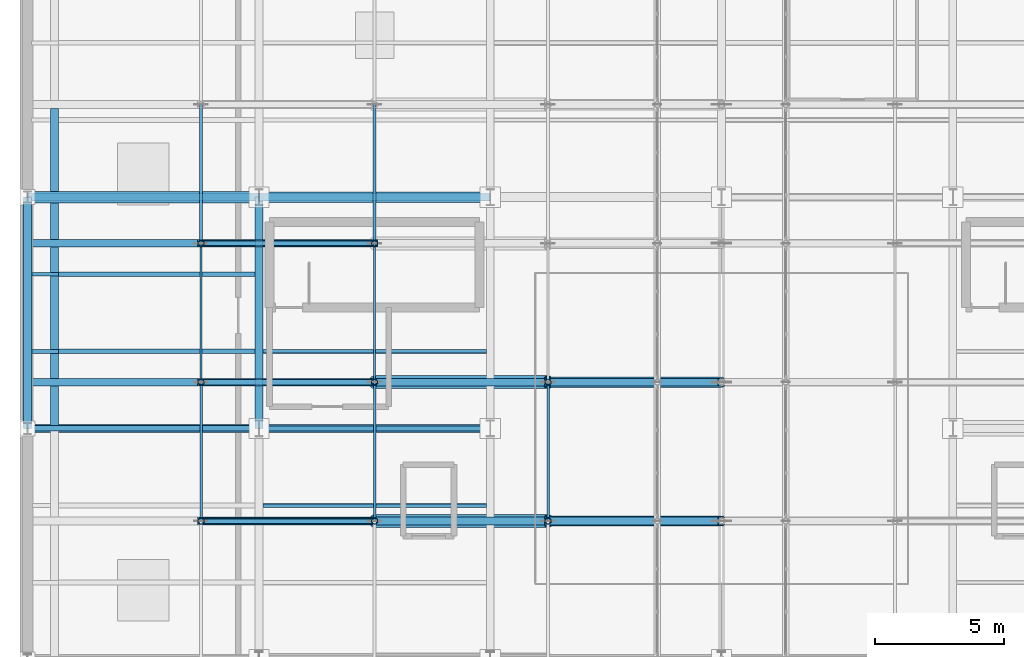
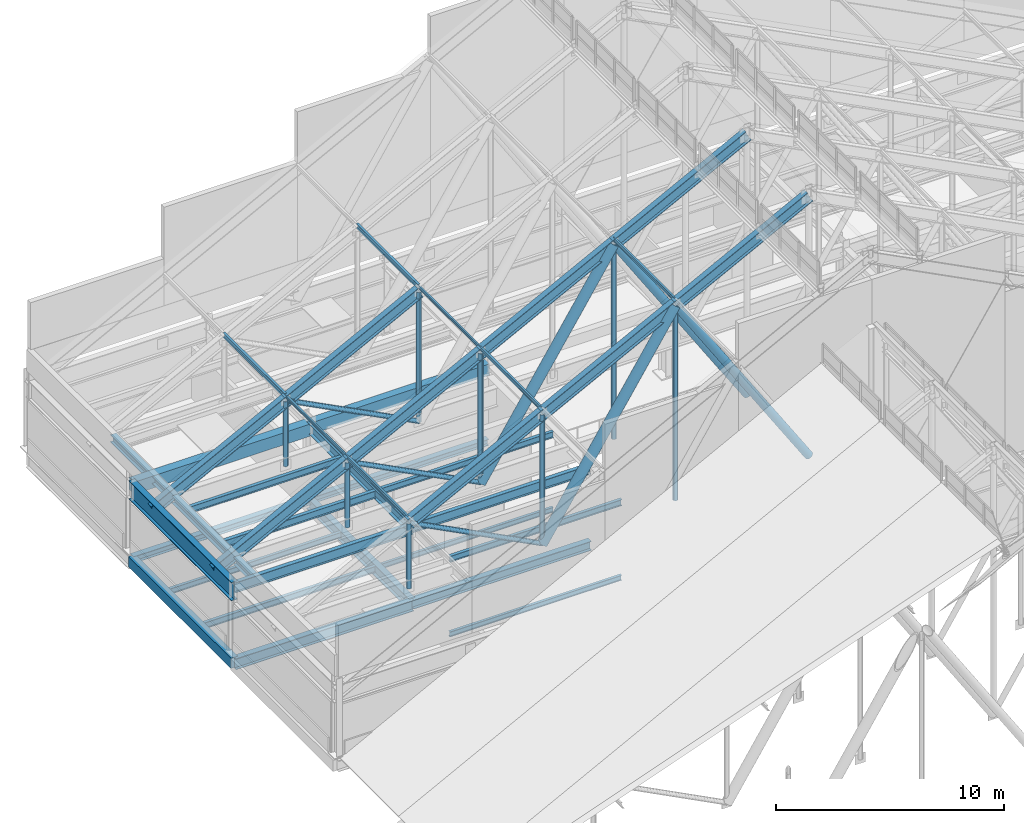
# One storey, part 34 of 84: 31 members, 24 beams.
"""IFC4 building model written with IfcOpenShell, lengths in metres."""

from ifc_helpers import new_model, si_unit, direction, frame, origin, origin_2d, place, context, subcontext, project, spatial, rectangle, hollow_circle, i_section, extrude, material, material_profile, profile_set, type_object, element, save


model = new_model("IFC4")

# Units and contexts
model_context = context("Model", 3, precision=1e-05, world=origin(), true_north=direction((0.0, 1.0)))
body_context = subcontext(model_context, "Body", "Model", "MODEL_VIEW")
ifc_project = project(units=[si_unit("LENGTHUNIT", "METRE"), si_unit("AREAUNIT", "SQUARE_METRE"), si_unit("VOLUMEUNIT", "CUBIC_METRE"), si_unit("PLANEANGLEUNIT", "RADIAN"), si_unit("MASSUNIT", "GRAM", prefix="KILO")], contexts=[model_context])

# Site, building, storey
site_placement = place(None, origin())
site = spatial("IfcSite", under=ifc_project, at=site_placement, CompositionType="ELEMENT")
building_placement = place(site_placement, origin())
building = spatial("IfcBuilding", under=site, at=building_placement, Name="Sundgate Opera House", CompositionType="ELEMENT")
storey_placement = place(building_placement, frame((0.0, 0.0, 30.60009765625)))
storey = spatial("IfcBuildingStorey", under=building, at=storey_placement, Name="L06", CompositionType="ELEMENT", Elevation=30.60009765625)

# Beams
ifc_material_1 = material(Name="Steel S355J2", Category="steel")
ifc_material_profile_1 = material_profile(ifc_material_1, i_section(OverallWidth=0.300048828125, OverallDepth=0.330078125, WebThickness=0.009521484375, FlangeThickness=0.0166015625, at=origin_2d()), Name="HEA 340")
ifc_profile_set_1 = profile_set([ifc_material_profile_1], Name="Steel S355J2")
beam_type_1 = type_object("IfcBeamType", Name="BM-GR-HEA340", PredefinedType="BEAM", material=ifc_profile_set_1)
beam_1_placement = place(storey_placement, frame((36.0, 78.0, -0.425048828125), z_axis=(1.0, 0.0, 0.0), x_axis=(0.0, 1.0, 0.0)))
element("IfcBeam", 1, at=beam_1_placement, inside=storey, type_object=beam_type_1, Name="L06 Primary E-W Girder B3229", PredefinedType="BEAM", context=body_context, shape_type="SweptSolid", body=[
    extrude(i_section(OverallWidth=0.300048828125, OverallDepth=0.330078125, WebThickness=0.009521484375, FlangeThickness=0.0166015625, at=origin_2d()), origin(), (0.0, 0.0, 1.0), 9.0),
])
ifc_material_2 = material(Name="Steel S355J2", Category="steel")
ifc_material_profile_2 = material_profile(ifc_material_2, i_section(OverallWidth=0.300048828125, OverallDepth=0.35009765625, WebThickness=0.010009765625, FlangeThickness=0.017578125, at=origin_2d()), Name="HEA 360")
ifc_profile_set_2 = profile_set([ifc_material_profile_2], Name="Steel S355J2")
beam_type_2 = type_object("IfcBeamType", Name="BM-GR-HEA360", PredefinedType="BEAM", material=ifc_profile_set_2)
beam_2_placement = place(storey_placement, frame((27.0, 78.0, -0.43505859375), z_axis=(1.0, 0.0, 0.0), x_axis=(0.0, 1.0, 0.0)))
element("IfcBeam", 2, at=beam_2_placement, inside=storey, type_object=beam_type_2, Name="L06 Primary E-W Girder B3228", PredefinedType="BEAM", context=body_context, shape_type="SweptSolid", body=[
    extrude(i_section(OverallWidth=0.300048828125, OverallDepth=0.35009765625, WebThickness=0.010009765625, FlangeThickness=0.017578125, at=origin_2d()), origin(), (0.0, 0.0, 1.0), 9.0),
])
ifc_material_3 = material(Name="Steel S355J2", Category="steel")
ifc_material_profile_3 = material_profile(ifc_material_3, i_section(OverallWidth=0.300048828125, OverallDepth=0.389892578125, WebThickness=0.010986328125, FlangeThickness=0.01904296875, at=origin_2d()), Name="HEA 400")
ifc_profile_set_3 = profile_set([ifc_material_profile_3], Name="Steel S355J2")
beam_type_3 = type_object("IfcBeamType", Name="BM-GR-HEA400", PredefinedType="BEAM", material=ifc_profile_set_3)
beam_3_placement = place(storey_placement, frame((28.050048828125, 69.10498046875, 3.58984375), z_axis=(0.0, 1.0, 0.0), x_axis=(-1.0, 0.0, 0.0)))
element("IfcBeam", 3, at=beam_3_placement, inside=storey, type_object=beam_type_3, Name="L06 Gridiron Deck Edge Girder B3295", PredefinedType="BEAM", context=body_context, shape_type="SweptSolid", body=[
    extrude(i_section(OverallWidth=0.300048828125, OverallDepth=0.389892578125, WebThickness=0.010986328125, FlangeThickness=0.01904296875, at=origin_2d()), origin(), (0.0, 0.0, 1.0), 1.544921875),
])
beam_4_placement = place(storey_placement, frame((28.050048828125, 70.949951171875, 3.58984375), z_axis=(0.0, 1.0, 0.0), x_axis=(-1.0, 0.0, 0.0)))
element("IfcBeam", 4, at=beam_4_placement, inside=storey, type_object=beam_type_3, Name="L06 Gridiron Deck Edge Girder B3296", PredefinedType="BEAM", context=body_context, shape_type="SweptSolid", body=[
    extrude(i_section(OverallWidth=0.300048828125, OverallDepth=0.389892578125, WebThickness=0.010986328125, FlangeThickness=0.01904296875, at=origin_2d()), origin(), (0.0, 0.0, 1.0), 5.10009765625),
])
beam_5_placement = place(storey_placement, frame((28.050048828125, 76.35009765625, 3.58984375), z_axis=(0.0, 1.0, 0.0), x_axis=(-1.0, 0.0, 0.0)))
element("IfcBeam", 5, at=beam_5_placement, inside=storey, type_object=beam_type_3, Name="L06 Gridiron Deck Edge Girder B3297", PredefinedType="BEAM", context=body_context, shape_type="SweptSolid", body=[
    extrude(i_section(OverallWidth=0.300048828125, OverallDepth=0.389892578125, WebThickness=0.010986328125, FlangeThickness=0.01904296875, at=origin_2d()), origin(), (0.0, 0.0, 1.0), 1.4248046875),
])
beam_6_placement = place(storey_placement, frame((28.050048828125, 78.22509765625, 3.58984375), z_axis=(0.0, 1.0, 0.0), x_axis=(-1.0, 0.0, 0.0)))
element("IfcBeam", 6, at=beam_6_placement, inside=storey, type_object=beam_type_3, Name="L06 Gridiron Deck Edge Girder B3298", PredefinedType="BEAM", context=body_context, shape_type="SweptSolid", body=[
    extrude(i_section(OverallWidth=0.300048828125, OverallDepth=0.389892578125, WebThickness=0.010986328125, FlangeThickness=0.01904296875, at=origin_2d()), origin(), (0.0, 0.0, 1.0), 3.224853515625),
])
ifc_material_4 = material(Name="Steel S355J2", Category="steel")
ifc_material_profile_4 = material_profile(ifc_material_4, i_section(OverallWidth=0.300048828125, OverallDepth=0.489990234375, WebThickness=0.011962890625, FlangeThickness=0.02294921875, at=origin_2d()), Name="HEA 500")
ifc_profile_set_4 = profile_set([ifc_material_profile_4], Name="Steel S355J2")
beam_type_4 = type_object("IfcBeamType", Name="BM-GR-HEA500", PredefinedType="BEAM", material=ifc_profile_set_4)
beam_7_placement = place(storey_placement, frame((36.0, 69.0, -0.505126953125), z_axis=(1.0, 0.0, 0.0), x_axis=(0.0, 1.0, 0.0)))
element("IfcBeam", 7, at=beam_7_placement, inside=storey, type_object=beam_type_4, Name="L06 Primary E-W Girder B3225", PredefinedType="BEAM", context=body_context, shape_type="SweptSolid", body=[
    extrude(i_section(OverallWidth=0.300048828125, OverallDepth=0.489990234375, WebThickness=0.011962890625, FlangeThickness=0.02294921875, at=origin_2d()), origin(), (0.0, 0.0, 1.0), 9.0),
])
ifc_material_5 = material(Name="Steel S355J2", Category="steel")
ifc_material_profile_5 = material_profile(ifc_material_5, i_section(OverallWidth=0.300048828125, OverallDepth=0.590087890625, WebThickness=0.012939453125, FlangeThickness=0.02490234375, at=origin_2d()), Name="HEA 600")
ifc_profile_set_5 = profile_set([ifc_material_profile_5], Name="Steel S355J2")
beam_type_5 = type_object("IfcBeamType", Name="BM-GR-HEA600", PredefinedType="BEAM", material=ifc_profile_set_5)
beam_8_placement = place(storey_placement, frame((27.0, 69.0, -0.55517578125), z_axis=(1.0, 0.0, 0.0), x_axis=(0.0, 1.0, 0.0)))
element("IfcBeam", 8, at=beam_8_placement, inside=storey, type_object=beam_type_5, Name="L06 Primary E-W Girder B3224", PredefinedType="BEAM", context=body_context, shape_type="SweptSolid", body=[
    extrude(i_section(OverallWidth=0.300048828125, OverallDepth=0.590087890625, WebThickness=0.012939453125, FlangeThickness=0.02490234375, at=origin_2d()), origin(), (0.0, 0.0, 1.0), 9.0),
])
ifc_material_6 = material(Name="Steel S355J2", Category="steel")
ifc_material_profile_6 = material_profile(ifc_material_6, i_section(OverallWidth=0.300048828125, OverallDepth=0.550048828125, WebThickness=0.014892578125, FlangeThickness=0.029052734375, at=origin_2d()), Name="HEB 550")
ifc_profile_set_6 = profile_set([ifc_material_profile_6], Name="Steel S355J2")
beam_type_6 = type_object("IfcBeamType", Name="BM-GR-HEB550", PredefinedType="BEAM", material=ifc_profile_set_6)
beam_9_placement = place(storey_placement, frame((36.0, 69.0, 3.52490234375), z_axis=(0.0, 1.0, 0.0), x_axis=(-1.0, 0.0, 0.0)))
element("IfcBeam", 9, at=beam_9_placement, inside=storey, type_object=beam_type_6, Name="L06 Primary N-S Girder B3271", PredefinedType="BEAM", context=body_context, shape_type="SweptSolid", body=[
    extrude(i_section(OverallWidth=0.300048828125, OverallDepth=0.550048828125, WebThickness=0.014892578125, FlangeThickness=0.029052734375, at=origin_2d()), origin(), (0.0, 0.0, 1.0), 9.0),
])
ifc_material_7 = material(Name="Steel S355J2", Category="steel")
ifc_material_profile_7 = material_profile(ifc_material_7, i_section(OverallWidth=0.300048828125, OverallDepth=0.60009765625, WebThickness=0.015380859375, FlangeThickness=0.030029296875, at=origin_2d()), Name="HEB 600")
ifc_profile_set_7 = profile_set([ifc_material_profile_7], Name="Steel S355J2")
beam_type_7 = type_object("IfcBeamType", Name="BM-GR-HEB600", PredefinedType="BEAM", material=ifc_profile_set_7)
beam_10_placement = place(storey_placement, frame((36.0, 69.0, -0.56005859375), z_axis=(0.0, 1.0, 0.0), x_axis=(-1.0, 0.0, 0.0)))
element("IfcBeam", 10, at=beam_10_placement, inside=storey, type_object=beam_type_7, Name="L06 Primary N-S Girder B3196", PredefinedType="BEAM", context=body_context, shape_type="SweptSolid", body=[
    extrude(i_section(OverallWidth=0.300048828125, OverallDepth=0.60009765625, WebThickness=0.015380859375, FlangeThickness=0.030029296875, at=origin_2d()), origin(), (0.0, 0.0, 1.0), 9.0),
])
ifc_material_8 = material(Name="Steel S355J2", Category="steel")
ifc_material_profile_8 = material_profile(ifc_material_8, i_section(OverallWidth=0.199951171875, OverallDepth=0.5, WebThickness=0.01025390625, FlangeThickness=0.01611328125, at=origin_2d()), Name="IPE 500")
ifc_profile_set_8 = profile_set([ifc_material_profile_8], Name="Steel S355J2")
beam_type_8 = type_object("IfcBeamType", Name="BM-GR-IPE500", PredefinedType="BEAM", material=ifc_profile_set_8)
beam_11_placement = place(storey_placement, frame((36.0, 69.0, 3.5498046875), z_axis=(1.0, 0.0, 0.0), x_axis=(0.0, 1.0, 0.0)))
element("IfcBeam", 11, at=beam_11_placement, inside=storey, type_object=beam_type_8, Name="L06 Primary E-W Girder B3284", PredefinedType="BEAM", context=body_context, shape_type="SweptSolid", body=[
    extrude(i_section(OverallWidth=0.199951171875, OverallDepth=0.5, WebThickness=0.01025390625, FlangeThickness=0.01611328125, at=origin_2d()), origin(), (0.0, 0.0, 1.0), 9.0),
])
ifc_material_9 = material(Name="Steel S355J2", Category="steel")
ifc_material_profile_9 = material_profile(ifc_material_9, i_section(OverallWidth=0.2099609375, OverallDepth=0.550048828125, WebThickness=0.010986328125, FlangeThickness=0.01708984375, at=origin_2d()), Name="IPE 550")
ifc_profile_set_9 = profile_set([ifc_material_profile_9], Name="Steel S355J2")
beam_type_9 = type_object("IfcBeamType", Name="BM-GR-IPE550", PredefinedType="BEAM", material=ifc_profile_set_9)
beam_12_placement = place(storey_placement, frame((27.0, 69.0, 3.510009765625), z_axis=(1.0, 0.0, 0.0), x_axis=(0.0, 1.0, 0.0)))
element("IfcBeam", 12, at=beam_12_placement, inside=storey, type_object=beam_type_9, Name="L06 Primary E-W Girder B3283", PredefinedType="BEAM", context=body_context, shape_type="SweptSolid", body=[
    extrude(i_section(OverallWidth=0.2099609375, OverallDepth=0.550048828125, WebThickness=0.010986328125, FlangeThickness=0.01708984375, at=origin_2d()), origin(), (0.0, 0.0, 1.0), 9.0),
])
ifc_material_10 = material(Name="Steel S355J2", Category="steel")
ifc_material_profile_10 = material_profile(ifc_material_10, i_section(OverallWidth=0.135009765625, OverallDepth=0.27001953125, WebThickness=0.006591796875, FlangeThickness=0.01025390625, at=origin_2d()), Name="IPE 270")
ifc_profile_set_10 = profile_set([ifc_material_profile_10], Name="Steel S355J2")
beam_type_10 = type_object("IfcBeamType", Name="BM-JS-IPE270", PredefinedType="JOIST", material=ifc_profile_set_10)
for number, where, z_axis, x_axis, name in (
    (13, (36.14990234375, 66.0, -0.39501953125), (1.0, 0.0, 0.0), (0.0, 1.0, 0.0), "L06 Secondary Floor Joist B3247"),
    (14, (36.14990234375, 72.0, -0.39501953125), (1.0, 0.0, 0.0), (0.0, 1.0, 0.0), "L06 Secondary Floor Joist B3254"),
):
    element("IfcBeam", number, at=place(storey_placement, frame(where, z_axis=z_axis, x_axis=x_axis)), inside=storey, type_object=beam_type_10, Name=name, PredefinedType="JOIST", context=body_context, shape_type="SweptSolid", body=[
        extrude(i_section(OverallWidth=0.135009765625, OverallDepth=0.27001953125, WebThickness=0.006591796875, FlangeThickness=0.01025390625, at=origin_2d()), origin(), (0.0, 0.0, 1.0), 8.7001953125),
    ])
ifc_material_11 = material(Name="Steel S355J2", Category="steel")
ifc_material_profile_11 = material_profile(ifc_material_11, i_section(OverallWidth=0.14990234375, OverallDepth=0.300048828125, WebThickness=0.007080078125, FlangeThickness=0.0107421875, at=origin_2d()), Name="IPE 300")
ifc_profile_set_11 = profile_set([ifc_material_profile_11], Name="Steel S355J2")
beam_type_11 = type_object("IfcBeamType", Name="BM-JS-IPE300", PredefinedType="JOIST", material=ifc_profile_set_11)
beam_13_placement = place(storey_placement, frame((27.175048828125, 75.0, -0.41015625), z_axis=(1.0, 0.0, 0.0), x_axis=(0.0, 1.0, 0.0)))
element("IfcBeam", 15, at=beam_13_placement, inside=storey, type_object=beam_type_11, Name="L06 Secondary Floor Joist B3253", PredefinedType="JOIST", context=body_context, shape_type="SweptSolid", body=[
    extrude(i_section(OverallWidth=0.14990234375, OverallDepth=0.300048828125, WebThickness=0.007080078125, FlangeThickness=0.0107421875, at=origin_2d()), origin(), (0.0, 0.0, 1.0), 8.675048828125),
])
ifc_material_12 = material(Name="Steel S355J2", Category="steel")
ifc_material_profile_12 = material_profile(ifc_material_12, i_section(OverallWidth=0.159912109375, OverallDepth=0.330078125, WebThickness=0.007568359375, FlangeThickness=0.011474609375, at=origin_2d()), Name="IPE 330")
ifc_profile_set_12 = profile_set([ifc_material_profile_12], Name="Steel S355J2")
beam_type_12 = type_object("IfcBeamType", Name="BM-JS-IPE330", PredefinedType="JOIST", material=ifc_profile_set_12)
beam_14_placement = place(storey_placement, frame((27.175048828125, 72.0, -0.425048828125), z_axis=(1.0, 0.0, 0.0), x_axis=(0.0, 1.0, 0.0)))
element("IfcBeam", 16, at=beam_14_placement, inside=storey, type_object=beam_type_12, Name="L06 Secondary Floor Joist B3252", PredefinedType="JOIST", context=body_context, shape_type="SweptSolid", body=[
    extrude(i_section(OverallWidth=0.159912109375, OverallDepth=0.330078125, WebThickness=0.007568359375, FlangeThickness=0.011474609375, at=origin_2d()), origin(), (0.0, 0.0, 1.0), 8.675048828125),
])
for number, where, z_axis, x_axis, name in (
    (17, (36.14990234375, 66.0, 3.635009765625), (1.0, 0.0, 0.0), (0.0, 1.0, 0.0), "L06 Secondary Floor Joist B3310"),
    (18, (36.14990234375, 72.0, 3.635009765625), (1.0, 0.0, 0.0), (0.0, 1.0, 0.0), "L06 Secondary Floor Joist B3317"),
):
    element("IfcBeam", number, at=place(storey_placement, frame(where, z_axis=z_axis, x_axis=x_axis)), inside=storey, type_object=beam_type_12, Name=name, PredefinedType="JOIST", context=body_context, shape_type="SweptSolid", body=[
        extrude(i_section(OverallWidth=0.159912109375, OverallDepth=0.330078125, WebThickness=0.007568359375, FlangeThickness=0.011474609375, at=origin_2d()), origin(), (0.0, 0.0, 1.0), 8.7001953125),
    ])
ifc_material_13 = material(Name="Steel S355J2", Category="steel")
ifc_material_profile_13 = material_profile(ifc_material_13, i_section(OverallWidth=0.169921875, OverallDepth=0.360107421875, WebThickness=0.008056640625, FlangeThickness=0.0126953125, at=origin_2d()), Name="IPE 360")
ifc_profile_set_13 = profile_set([ifc_material_profile_13], Name="Steel S355J2")
beam_type_13 = type_object("IfcBeamType", Name="BM-JS-IPE360", PredefinedType="JOIST", material=ifc_profile_set_13)
beam_15_placement = place(storey_placement, frame((28.199951171875, 75.0, 3.60498046875), z_axis=(1.0, 0.0, 0.0), x_axis=(0.0, 1.0, 0.0)))
element("IfcBeam", 19, at=beam_15_placement, inside=storey, type_object=beam_type_13, Name="L06 Secondary Floor Joist B3316", PredefinedType="JOIST", context=body_context, shape_type="SweptSolid", body=[
    extrude(i_section(OverallWidth=0.169921875, OverallDepth=0.360107421875, WebThickness=0.008056640625, FlangeThickness=0.0126953125, at=origin_2d()), origin(), (0.0, 0.0, 1.0), 7.650146484375),
])
ifc_material_14 = material(Name="Steel S355J2", Category="steel")
ifc_material_profile_14 = material_profile(ifc_material_14, i_section(OverallWidth=0.179931640625, OverallDepth=0.39990234375, WebThickness=0.008544921875, FlangeThickness=0.013427734375, at=origin_2d()), Name="IPE 400")
ifc_profile_set_14 = profile_set([ifc_material_profile_14], Name="Steel S355J2")
beam_type_14 = type_object("IfcBeamType", Name="BM-JS-IPE400", PredefinedType="JOIST", material=ifc_profile_set_14)
beam_16_placement = place(storey_placement, frame((28.199951171875, 72.0, 3.5849609375), z_axis=(1.0, 0.0, 0.0), x_axis=(0.0, 1.0, 0.0)))
element("IfcBeam", 20, at=beam_16_placement, inside=storey, type_object=beam_type_14, Name="L06 Secondary Floor Joist B3315", PredefinedType="JOIST", context=body_context, shape_type="SweptSolid", body=[
    extrude(i_section(OverallWidth=0.179931640625, OverallDepth=0.39990234375, WebThickness=0.008544921875, FlangeThickness=0.013427734375, at=origin_2d()), origin(), (0.0, 0.0, 1.0), 7.650146484375),
])
ifc_material_15 = material(Name="Concrete C35/45", Category="concrete")
ifc_material_profile_15 = material_profile(ifc_material_15, rectangle(XDim=0.35009765625, YDim=0.550048828125, at=origin_2d()), Name="RC 350x550")
ifc_profile_set_15 = profile_set([ifc_material_profile_15], Name="Concrete C35/45")
beam_type_15 = type_object("IfcBeamType", Name="BM-RC-350x550", PredefinedType="BEAM", material=ifc_profile_set_15)
beam_17_placement = place(storey_placement, frame((27.0, 69.0, -0.53515625), z_axis=(0.0, 1.0, 0.0), x_axis=(-1.0, 0.0, 0.0)))
element("IfcBeam", 21, at=beam_17_placement, inside=storey, type_object=beam_type_15, Name="L06 Primary N-S Girder B3193", PredefinedType="BEAM", context=body_context, shape_type="SweptSolid", body=[
    extrude(rectangle(XDim=0.35009765625, YDim=0.550048828125, at=origin_2d()), origin(), (0.0, 0.0, 1.0), 9.0),
])
ifc_material_16 = material(Name="Concrete C35/45", Category="concrete")
ifc_material_profile_16 = material_profile(ifc_material_16, rectangle(XDim=0.39990234375, YDim=0.60009765625, at=origin_2d()), Name="RC 400x600")
ifc_profile_set_16 = profile_set([ifc_material_profile_16], Name="Concrete C35/45")
beam_type_16 = type_object("IfcBeamType", Name="BM-RC-400x600", PredefinedType="BEAM", material=ifc_profile_set_16)
beam_18_placement = place(storey_placement, frame((36.0, 78.0, 3.5), z_axis=(1.0, 0.0, 0.0), x_axis=(0.0, 1.0, 0.0)))
element("IfcBeam", 22, at=beam_18_placement, inside=storey, type_object=beam_type_16, Name="L06 Primary E-W Girder B3288", PredefinedType="BEAM", context=body_context, shape_type="SweptSolid", body=[
    extrude(rectangle(XDim=0.39990234375, YDim=0.60009765625, at=origin_2d()), origin(), (0.0, 0.0, 1.0), 9.0),
])
ifc_material_17 = material(Name="Concrete C35/45", Category="concrete")
ifc_material_profile_17 = material_profile(ifc_material_17, rectangle(XDim=0.449951171875, YDim=0.64990234375, at=origin_2d()), Name="RC 450x650")
ifc_profile_set_17 = profile_set([ifc_material_profile_17], Name="Concrete C35/45")
beam_type_17 = type_object("IfcBeamType", Name="BM-RC-450x650", PredefinedType="BEAM", material=ifc_profile_set_17)
beam_19_placement = place(storey_placement, frame((27.0, 78.0, 3.4599609375), z_axis=(1.0, 0.0, 0.0), x_axis=(0.0, 1.0, 0.0)))
element("IfcBeam", 23, at=beam_19_placement, inside=storey, type_object=beam_type_17, Name="L06 Primary E-W Girder B3287", PredefinedType="BEAM", context=body_context, shape_type="SweptSolid", body=[
    extrude(rectangle(XDim=0.449951171875, YDim=0.64990234375, at=origin_2d()), origin(), (0.0, 0.0, 1.0), 9.0),
])
ifc_material_18 = material(Name="Steel S355ML", Category="steel")
ifc_material_profile_18 = material_profile(ifc_material_18, i_section(OverallWidth=0.300048828125, OverallDepth=1.0, WebThickness=0.01904296875, FlangeThickness=0.035888671875, at=origin_2d()), Name="HEB 1000")
ifc_profile_set_18 = profile_set([ifc_material_profile_18], Name="Steel S355ML")
beam_type_18 = type_object("IfcBeamType", Name="BM-TR-HEB1000", PredefinedType="BEAM", material=ifc_profile_set_18)
beam_20_placement = place(storey_placement, frame((27.0, 69.0, 3.289794921875), z_axis=(0.0, 1.0, 0.0), x_axis=(-1.0, 0.0, 0.0)))
element("IfcBeam", 24, at=beam_20_placement, inside=storey, type_object=beam_type_18, Name="L06 Fly-Tower Eaves Collector Girder B3378", PredefinedType="BEAM", context=body_context, shape_type="SweptSolid", body=[
    extrude(i_section(OverallWidth=0.300048828125, OverallDepth=1.0, WebThickness=0.01904296875, FlangeThickness=0.035888671875, at=origin_2d()), origin(), (0.0, 0.0, 1.0), 9.0),
])

# Members
ifc_material_19 = material(Name="Steel S355J2", Category="steel")
ifc_material_profile_19 = material_profile(ifc_material_19, hollow_circle(Radius=0.122314453125, WallThickness=0.012451171875, at=origin_2d()), Name="CHS 244.5x12.5")
ifc_profile_set_19 = profile_set([ifc_material_profile_19], Name="Steel S355J2")
member_type_1 = type_object("IfcMemberType", Name="MB-BRC-CHS244", PredefinedType="BRACE", material=ifc_profile_set_19)
for number, where, z_axis, x_axis, name in (
    (25, (40.5, 65.39990234375, 3.289794921875), (-0.888960276237, 0.0, 0.457984308981), (0.0, -1.0, 0.0), "L06 Fly-Tower Warren Web Diagonal M0136"),
    (26, (40.5, 70.800048828125, 3.289794921875), (-0.888960276237, 0.0, 0.457984308981), (0.0, -1.0, 0.0), "L06 Fly-Tower Warren Web Diagonal M0157"),
    (27, (40.5, 76.199951171875, 3.289794921875), (-0.888960276237, 0.0, 0.457984308981), (0.0, -1.0, 0.0), "L06 Fly-Tower Warren Web Diagonal M0178"),
):
    element("IfcMember", number, at=place(storey_placement, frame(where, z_axis=z_axis, x_axis=x_axis)), inside=storey, type_object=member_type_1, Name=name, PredefinedType="BRACE", context=body_context, shape_type="SweptSolid", body=[
        extrude(hollow_circle(Radius=0.122314453125, WallThickness=0.012451171875, at=origin_2d()), origin(), (0.0, 0.0, 1.0), 7.59326171875),
    ])
ifc_material_20 = material(Name="Steel S355J2", Category="steel")
ifc_material_profile_20 = material_profile(ifc_material_20, i_section(OverallWidth=0.300048828125, OverallDepth=0.60009765625, WebThickness=0.015380859375, FlangeThickness=0.030029296875, at=origin_2d()), Name="HEB 600")
ifc_profile_set_20 = profile_set([ifc_material_profile_20], Name="Steel S355J2")
member_type_2 = type_object("IfcMemberType", Name="MB-CHORD-HEB600", PredefinedType="CHORD", material=ifc_profile_set_20)
for number, where, z_axis, x_axis, name in (
    (28, (33.75, 65.39990234375, 6.767333984375), (0.888960276237, 0.0, 0.457984308981), (0.0, 1.0, 0.0), "L06 Fly-Tower Truss Top Chord M0135"),
    (29, (40.5, 65.39990234375, 10.244873046875), (0.888960276237, 0.0, 0.457984308981), (0.0, 1.0, 0.0), "L06 Fly-Tower Truss Top Chord M0137"),
    (30, (47.25, 65.39990234375, 13.722412109375), (0.888960276237, 0.0, 0.457984308981), (0.0, 1.0, 0.0), "L06 Fly-Tower Truss Top Chord M0139"),
    (31, (27.0, 70.800048828125, 3.289794921875), (0.888960276237, 0.0, 0.457984308981), (0.0, 1.0, 0.0), "L06 Fly-Tower Truss Top Chord M0155"),
    (32, (33.75, 70.800048828125, 6.767333984375), (0.888960276237, 0.0, 0.457984308981), (0.0, 1.0, 0.0), "L06 Fly-Tower Truss Top Chord M0156"),
    (33, (40.5, 70.800048828125, 10.244873046875), (0.888960276237, 0.0, 0.457984308981), (0.0, 1.0, 0.0), "L06 Fly-Tower Truss Top Chord M0158"),
    (34, (47.25, 70.800048828125, 13.722412109375), (0.888960276237, 0.0, 0.457984308981), (0.0, 1.0, 0.0), "L06 Fly-Tower Truss Top Chord M0160"),
    (35, (27.0, 76.199951171875, 3.289794921875), (0.888960276237, 0.0, 0.457984308981), (0.0, 1.0, 0.0), "L06 Fly-Tower Truss Top Chord M0176"),
    (36, (33.75, 76.199951171875, 6.767333984375), (0.888960276237, 0.0, 0.457984308981), (0.0, 1.0, 0.0), "L06 Fly-Tower Truss Top Chord M0177"),
):
    element("IfcMember", number, at=place(storey_placement, frame(where, z_axis=z_axis, x_axis=x_axis)), inside=storey, type_object=member_type_2, Name=name, PredefinedType="CHORD", context=body_context, shape_type="SweptSolid", body=[
        extrude(i_section(OverallWidth=0.300048828125, OverallDepth=0.60009765625, WebThickness=0.015380859375, FlangeThickness=0.030029296875, at=origin_2d()), origin(), (0.0, 0.0, 1.0), 7.59326171875),
    ])
ifc_material_21 = material(Name="Steel S355J2", Category="steel")
ifc_material_profile_21 = material_profile(ifc_material_21, i_section(OverallWidth=0.08203125, OverallDepth=0.159912109375, WebThickness=0.0048828125, FlangeThickness=0.00732421875, at=origin_2d()), Name="IPE 160")
ifc_profile_set_21 = profile_set([ifc_material_profile_21], Name="Steel S355J2")
member_type_3 = type_object("IfcMemberType", Name="MB-PUR-IPE160", PredefinedType="PURLIN", material=ifc_profile_set_21)
for number, where, z_axis, x_axis, name in (
    (37, (33.75, 70.800048828125, 7.012451171875), (0.0, 1.0, 0.0), (-1.0, 0.0, 0.0), "V1 Roof Purlin M0258"),
    (38, (40.5, 70.800048828125, 10.489990234375), (0.0, 1.0, 0.0), (-1.0, 0.0, 0.0), "V1 Roof Purlin M0259"),
):
    element("IfcMember", number, at=place(storey_placement, frame(where, z_axis=z_axis, x_axis=x_axis)), inside=storey, type_object=member_type_3, Name=name, PredefinedType="PURLIN", context=body_context, shape_type="SweptSolid", body=[
        extrude(i_section(OverallWidth=0.08203125, OverallDepth=0.159912109375, WebThickness=0.0048828125, FlangeThickness=0.00732421875, at=origin_2d()), origin(), (0.0, 0.0, 1.0), 5.39990234375),
    ])
ifc_material_22 = material(Name="Steel S355J2", Category="steel")
ifc_material_profile_22 = material_profile(ifc_material_22, i_section(OverallWidth=0.10009765625, OverallDepth=0.199951171875, WebThickness=0.005615234375, FlangeThickness=0.008544921875, at=origin_2d()), Name="IPE 200")
ifc_profile_set_22 = profile_set([ifc_material_profile_22], Name="Steel S355J2")
member_type_4 = type_object("IfcMemberType", Name="MB-PUR-IPE200", PredefinedType="PURLIN", material=ifc_profile_set_22)
for number, where, z_axis, x_axis, name in (
    (39, (33.75, 65.39990234375, 7.012451171875), (0.0, 1.0, 0.0), (-1.0, 0.0, 0.0), "V1 Roof Purlin M0252"),
    (40, (40.5, 65.39990234375, 10.489990234375), (0.0, 1.0, 0.0), (-1.0, 0.0, 0.0), "V1 Roof Purlin M0253"),
    (41, (47.25, 65.39990234375, 13.96728515625), (0.0, 1.0, 0.0), (-1.0, 0.0, 0.0), "V1 Roof Purlin M0254"),
):
    element("IfcMember", number, at=place(storey_placement, frame(where, z_axis=z_axis, x_axis=x_axis)), inside=storey, type_object=member_type_4, Name=name, PredefinedType="PURLIN", context=body_context, shape_type="SweptSolid", body=[
        extrude(i_section(OverallWidth=0.10009765625, OverallDepth=0.199951171875, WebThickness=0.005615234375, FlangeThickness=0.008544921875, at=origin_2d()), origin(), (0.0, 0.0, 1.0), 5.400146484375),
    ])
ifc_material_23 = material(Name="Steel S355J2", Category="steel")
ifc_material_profile_23 = material_profile(ifc_material_23, i_section(OverallWidth=0.1201171875, OverallDepth=0.239990234375, WebThickness=0.006103515625, FlangeThickness=0.009765625, at=origin_2d()), Name="IPE 240")
ifc_profile_set_23 = profile_set([ifc_material_profile_23], Name="Steel S355J2")
member_type_5 = type_object("IfcMemberType", Name="MB-PUR-IPE240", PredefinedType="PURLIN", material=ifc_profile_set_23)
for number, where, z_axis, x_axis, name in (
    (42, (33.75, 76.199951171875, 7.012451171875), (0.0, 1.0, 0.0), (-1.0, 0.0, 0.0), "V1 Roof Purlin M0264"),
    (43, (40.5, 76.199951171875, 10.489990234375), (0.0, 1.0, 0.0), (-1.0, 0.0, 0.0), "V1 Roof Purlin M0265"),
):
    element("IfcMember", number, at=place(storey_placement, frame(where, z_axis=z_axis, x_axis=x_axis)), inside=storey, type_object=member_type_5, Name=name, PredefinedType="PURLIN", context=body_context, shape_type="SweptSolid", body=[
        extrude(i_section(OverallWidth=0.1201171875, OverallDepth=0.239990234375, WebThickness=0.006103515625, FlangeThickness=0.009765625, at=origin_2d()), origin(), (0.0, 0.0, 1.0), 5.400146484375),
    ])
ifc_material_24 = material(Name="Steel S355J2", Category="steel")
ifc_material_profile_24 = material_profile(ifc_material_24, hollow_circle(Radius=0.122314453125, WallThickness=0.012451171875, at=origin_2d()), Name="CHS 244.5x12.5")
ifc_profile_set_24 = profile_set([ifc_material_profile_24], Name="Steel S355J2")
member_type_6 = type_object("IfcMemberType", Name="MB-STRUT-CHS244", PredefinedType="STRUT", material=ifc_profile_set_24)
member_1_placement = place(storey_placement, frame((33.75, 65.39990234375, 3.289794921875), z_axis=(0.0, 0.0, 1.0), x_axis=(1.0, 0.0, 0.0)))
element("IfcMember", 44, at=member_1_placement, inside=storey, type_object=member_type_6, Name="L06 Fly-Tower Truss Vertical Post M0148", PredefinedType="STRUT", context=body_context, shape_type="SweptSolid", body=[
    extrude(hollow_circle(Radius=0.122314453125, WallThickness=0.012451171875, at=origin_2d()), origin(), (0.0, 0.0, 1.0), 3.4775390625),
])
member_2_placement = place(storey_placement, frame((40.5, 65.39990234375, 3.289794921875), z_axis=(0.0, 0.0, 1.0), x_axis=(1.0, 0.0, 0.0)))
element("IfcMember", 45, at=member_2_placement, inside=storey, type_object=member_type_6, Name="L06 Fly-Tower Truss Vertical Post M0149", PredefinedType="STRUT", context=body_context, shape_type="SweptSolid", body=[
    extrude(hollow_circle(Radius=0.122314453125, WallThickness=0.012451171875, at=origin_2d()), origin(), (0.0, 0.0, 1.0), 6.955078125),
])
member_3_placement = place(storey_placement, frame((47.25, 65.39990234375, 3.289794921875), z_axis=(0.0, 0.0, 1.0), x_axis=(1.0, 0.0, 0.0)))
element("IfcMember", 46, at=member_3_placement, inside=storey, type_object=member_type_6, Name="L06 Fly-Tower Truss Vertical Post M0150", PredefinedType="STRUT", context=body_context, shape_type="SweptSolid", body=[
    extrude(hollow_circle(Radius=0.122314453125, WallThickness=0.012451171875, at=origin_2d()), origin(), (0.0, 0.0, 1.0), 10.4326171875),
])
member_4_placement = place(storey_placement, frame((33.75, 70.800048828125, 3.289794921875), z_axis=(0.0, 0.0, 1.0), x_axis=(1.0, 0.0, 0.0)))
element("IfcMember", 47, at=member_4_placement, inside=storey, type_object=member_type_6, Name="L06 Fly-Tower Truss Vertical Post M0169", PredefinedType="STRUT", context=body_context, shape_type="SweptSolid", body=[
    extrude(hollow_circle(Radius=0.122314453125, WallThickness=0.012451171875, at=origin_2d()), origin(), (0.0, 0.0, 1.0), 3.4775390625),
])
member_5_placement = place(storey_placement, frame((40.5, 70.800048828125, 3.289794921875), z_axis=(0.0, 0.0, 1.0), x_axis=(1.0, 0.0, 0.0)))
element("IfcMember", 48, at=member_5_placement, inside=storey, type_object=member_type_6, Name="L06 Fly-Tower Truss Vertical Post M0170", PredefinedType="STRUT", context=body_context, shape_type="SweptSolid", body=[
    extrude(hollow_circle(Radius=0.122314453125, WallThickness=0.012451171875, at=origin_2d()), origin(), (0.0, 0.0, 1.0), 6.955078125),
])
member_6_placement = place(storey_placement, frame((47.25, 70.800048828125, 3.289794921875), z_axis=(0.0, 0.0, 1.0), x_axis=(1.0, 0.0, 0.0)))
element("IfcMember", 49, at=member_6_placement, inside=storey, type_object=member_type_6, Name="L06 Fly-Tower Truss Vertical Post M0171", PredefinedType="STRUT", context=body_context, shape_type="SweptSolid", body=[
    extrude(hollow_circle(Radius=0.122314453125, WallThickness=0.012451171875, at=origin_2d()), origin(), (0.0, 0.0, 1.0), 10.4326171875),
])
member_7_placement = place(storey_placement, frame((33.75, 76.199951171875, 3.289794921875), z_axis=(0.0, 0.0, 1.0), x_axis=(1.0, 0.0, 0.0)))
element("IfcMember", 50, at=member_7_placement, inside=storey, type_object=member_type_6, Name="L06 Fly-Tower Truss Vertical Post M0190", PredefinedType="STRUT", context=body_context, shape_type="SweptSolid", body=[
    extrude(hollow_circle(Radius=0.122314453125, WallThickness=0.012451171875, at=origin_2d()), origin(), (0.0, 0.0, 1.0), 3.4775390625),
])
member_8_placement = place(storey_placement, frame((40.5, 76.199951171875, 3.289794921875), z_axis=(0.0, 0.0, 1.0), x_axis=(1.0, 0.0, 0.0)))
element("IfcMember", 51, at=member_8_placement, inside=storey, type_object=member_type_6, Name="L06 Fly-Tower Truss Vertical Post M0191", PredefinedType="STRUT", context=body_context, shape_type="SweptSolid", body=[
    extrude(hollow_circle(Radius=0.122314453125, WallThickness=0.012451171875, at=origin_2d()), origin(), (0.0, 0.0, 1.0), 6.955078125),
])
ifc_material_25 = material(Name="Steel S355ML", Category="steel")
ifc_material_profile_25 = material_profile(ifc_material_25, hollow_circle(Radius=0.203125, WallThickness=0.02001953125, at=origin_2d()), Name="CHS 406.4x20.0")
ifc_profile_set_25 = profile_set([ifc_material_profile_25], Name="Steel S355ML")
member_type_7 = type_object("IfcMemberType", Name="MB-STRUT-CHS406", PredefinedType="STRUT", material=ifc_profile_set_25)
for number, where, z_axis, x_axis, name in (
    (52, (54.0, 65.39990234375, 3.289794921875), (-0.543221949913, 0.0, 0.839589133525), (0.0, -1.0, 0.0), "L06 Fly-Tower Warren Web Diagonal M0140"),
    (53, (54.0, 70.800048828125, 3.289794921875), (-0.543221949913, 0.0, 0.839589133525), (0.0, -1.0, 0.0), "L06 Fly-Tower Warren Web Diagonal M0161"),
):
    element("IfcMember", number, at=place(storey_placement, frame(where, z_axis=z_axis, x_axis=x_axis)), inside=storey, type_object=member_type_7, Name=name, PredefinedType="STRUT", context=body_context, shape_type="SweptSolid", body=[
        extrude(hollow_circle(Radius=0.203125, WallThickness=0.02001953125, at=origin_2d()), origin(), (0.0, 0.0, 1.0), 12.42578125),
    ])
ifc_material_26 = material(Name="Steel S355ML", Category="steel")
ifc_material_profile_26 = material_profile(ifc_material_26, hollow_circle(Radius=0.25390625, WallThickness=0.02490234375, at=origin_2d()), Name="CHS 508x25.0")
ifc_profile_set_26 = profile_set([ifc_material_profile_26], Name="Steel S355ML")
member_type_8 = type_object("IfcMemberType", Name="MB-STRUT-CHS508", PredefinedType="STRUT", material=ifc_profile_set_26)
for number, where, z_axis, x_axis, name in (
    (54, (40.5, 65.39990234375, 3.289794921875), (0.543221949913, 0.0, 0.839589133525), (0.0, 1.0, 0.0), "L06 Fly-Tower Warren Web Strut M0138"),
    (55, (40.5, 70.800048828125, 3.289794921875), (0.543221949913, 0.0, 0.839589133525), (0.0, 1.0, 0.0), "L06 Fly-Tower Warren Web Strut M0159"),
):
    element("IfcMember", number, at=place(storey_placement, frame(where, z_axis=z_axis, x_axis=x_axis)), inside=storey, type_object=member_type_8, Name=name, PredefinedType="STRUT", context=body_context, shape_type="SweptSolid", body=[
        extrude(hollow_circle(Radius=0.25390625, WallThickness=0.02490234375, at=origin_2d()), origin(), (0.0, 0.0, 1.0), 12.42578125),
    ])

save(model, "model.ifc")
